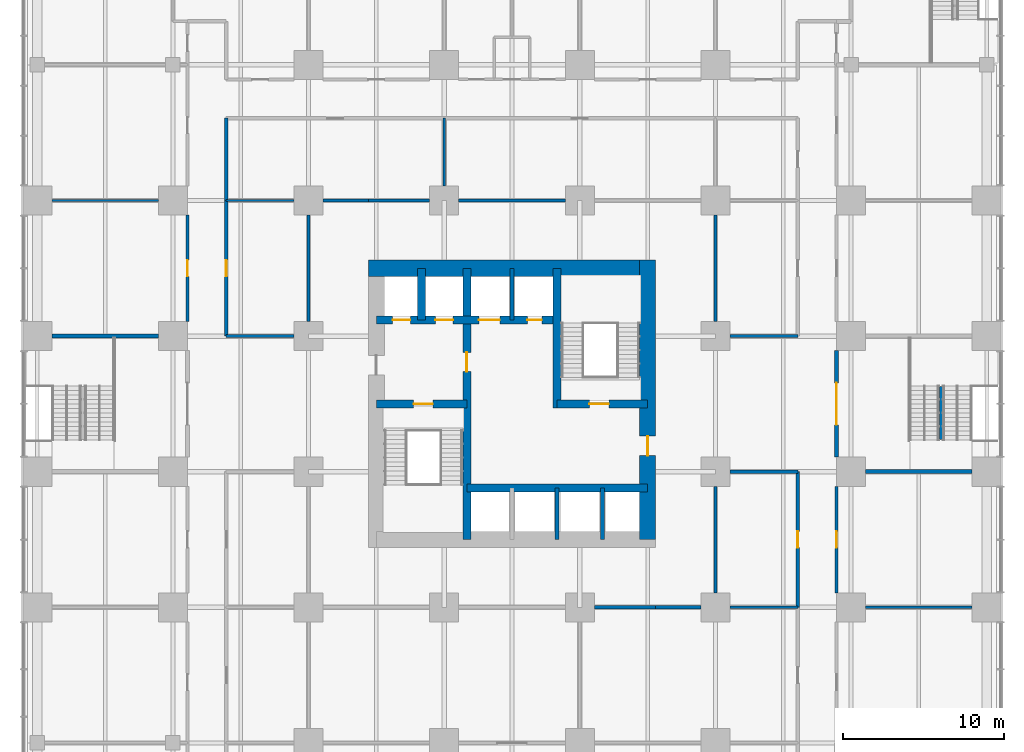
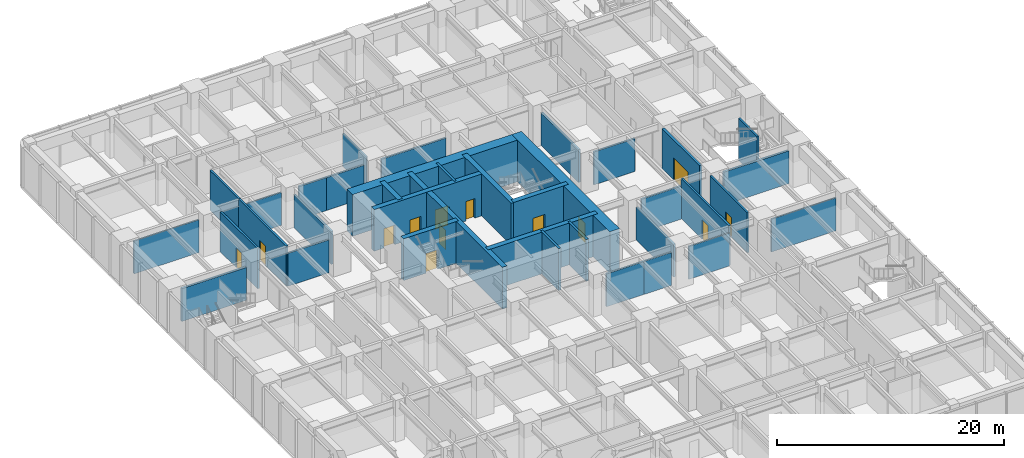
# One storey, part 13 of 19: 37 walls, 13 doors, 13 openings.
"""IFC4 building model written with IfcOpenShell, lengths in metres."""

from ifc_helpers import new_model, si_unit, direction, frame, frame_2d, origin, place, context, subcontext, project, spatial, rectangle, extrude, material, layer, layer_set, type_object, element, fill, save


model = new_model("IFC4")

# Units and contexts
model_context = context("Model", 3, precision=1e-05, world=origin(), true_north=direction((0.0, 1.0)))
body_context = subcontext(model_context, "Body", "Model", "MODEL_VIEW")
ifc_project = project(units=[si_unit("LENGTHUNIT", "METRE"), si_unit("AREAUNIT", "SQUARE_METRE"), si_unit("VOLUMEUNIT", "CUBIC_METRE"), si_unit("PLANEANGLEUNIT", "RADIAN"), si_unit("MASSUNIT", "GRAM", prefix="KILO")], contexts=[model_context])

# Site, building, storey
site_placement = place(None, origin())
site = spatial("IfcSite", under=ifc_project, at=site_placement, CompositionType="ELEMENT")
building_placement = place(site_placement, origin())
building = spatial("IfcBuilding", under=site, at=building_placement, Name="Torre Alcanfor", CompositionType="ELEMENT")
storey_placement = place(building_placement, frame((0.0, 0.0, 6.0)))
storey = spatial("IfcBuildingStorey", under=building, at=storey_placement, Name="L01", CompositionType="ELEMENT", Elevation=6.0)

# Walls
ifc_material_1 = material(Name="Concrete block masonry, hollow blocks NMX-C-404 9 MPa", Category="masonry")
ifc_layer_1 = layer(ifc_material_1, 0.14990234375)
ifc_layer_set_1 = layer_set([ifc_layer_1], Name="Classroom partition 150")
wall_type_1 = type_object("IfcWallType", Name="Classroom partition 150", PredefinedType="PARTITIONING", material=ifc_layer_set_1)
wall_1_placement = place(storey_placement, frame((51.300048828125, 16.800048828125, 0.0), z_axis=(0.0, 0.0, 1.0), x_axis=(1.0, 0.0, 0.0)))
element("IfcWall", 1, at=wall_1_placement, inside=storey, type_object=wall_type_1, Name="Partition L01-13 / L01-15", PredefinedType="PARTITIONING", context=body_context, shape_type="SweptSolid", body=[
    extrude(rectangle(XDim=6.599853515625, YDim=0.14990234375, at=frame_2d((3.2998046875, 0.0))), origin(), (0.0, 0.0, 1.0), 3.543212890625),
])
wall_2_placement = place(storey_placement, frame((0.89990234375, 42.0, 0.0), z_axis=(0.0, 0.0, 1.0), x_axis=(1.0, 0.0, 0.0)))
element("IfcWall", 2, at=wall_2_placement, inside=storey, type_object=wall_type_1, Name="Partition L01-16 / L01-18", PredefinedType="PARTITIONING", context=body_context, shape_type="SweptSolid", body=[
    extrude(rectangle(XDim=6.60009765625, YDim=0.14990234375, at=frame_2d((3.300048828125, 0.0))), origin(), (0.0, 0.0, 1.0), 3.543212890625),
])
wall_3_placement = place(storey_placement, frame((42.89990234375, 16.800048828125, 0.0), z_axis=(0.0, 0.0, 1.0), x_axis=(1.0, 0.0, 0.0)))
element("IfcWall", 3, at=wall_3_placement, inside=storey, type_object=wall_type_1, Name="Partition L01-I07 / L01-I09", PredefinedType="PARTITIONING", context=body_context, shape_type="SweptSolid", body=[
    extrude(rectangle(XDim=4.2001953125, YDim=0.14990234375, at=frame_2d((2.10009765625, 0.0))), origin(), (0.0, 0.0, 1.0), 3.543212890625),
])
wall_4_placement = place(storey_placement, frame((11.699951171875, 42.0, 0.0), z_axis=(0.0, 0.0, 1.0), x_axis=(1.0, 0.0, 0.0)))
element("IfcWall", 4, at=wall_4_placement, inside=storey, type_object=wall_type_1, Name="Partition L01-I10 / L01-I12", PredefinedType="PARTITIONING", context=body_context, shape_type="SweptSolid", body=[
    extrude(rectangle(XDim=4.199951171875, YDim=0.14990234375, at=frame_2d((2.10009765625, 0.0))), origin(), (0.0, 0.0, 1.0), 3.543212890625),
])
wall_5_placement = place(storey_placement, frame((25.199951171875, 47.10009765625, 0.0), z_axis=(0.0, 0.0, 1.0), x_axis=(0.0, -1.0, 0.0)))
element("IfcWall", 5, at=wall_5_placement, inside=storey, type_object=wall_type_1, Name="Partition L01-I12 / L01-I13", PredefinedType="PARTITIONING", context=body_context, shape_type="SweptSolid", body=[
    extrude(rectangle(XDim=4.2001953125, YDim=0.14990234375, at=frame_2d((2.10009765625, 0.0))), origin(), (0.0, 0.0, 1.0), 3.543212890625),
])

# Wall, opening, door
ifc_material_2 = material(Name="Concrete f'c 70 MPa", Category="concrete")
ifc_layer_2 = layer(ifc_material_2, 0.5)
ifc_layer_set_2 = layer_set([ifc_layer_2], Name="Core inner wall 500 f'c70")
wall_type_2 = type_object("IfcWallType", Name="Core inner wall 500 f'c70", PredefinedType="SHEAR", material=ifc_layer_set_2)
wall_6_placement = place(storey_placement, frame((26.60009765625, 21.0, 0.0), z_axis=(0.0, 0.0, 1.0), x_axis=(0.0, 1.0, 0.0)))
wall_6 = element("IfcWall", 6, at=wall_6_placement, inside=storey, type_object=wall_type_2, Name="Core wall X266 L01", PredefinedType="SHEAR", context=body_context, shape_type="SweptSolid", body=[
    extrude(rectangle(XDim=16.800048828125, YDim=0.5, at=frame_2d((8.39990234375, 0.0))), origin(), (0.0, 0.0, 1.0), 4.5),
])
opening_1_placement = place(wall_6_placement, frame((10.39990234375, 0.0, 0.0)))
opening_1 = element("IfcOpeningElement", 7, at=opening_1_placement, cuts=wall_6, Name="Opening D-L1", PredefinedType="OPENING", context=body_context, shape_type="SweptSolid", body=[
    extrude(rectangle(XDim=1.199951171875, YDim=2.10009765625, at=frame_2d((0.60009765625, 1.050048828125))), frame((0.0, 0.260009765625, 0.0), z_axis=(0.0, -1.0, 0.0), x_axis=(1.0, 0.0, 0.0)), (0.0, 0.0, 1.0), 0.52001953125),
])
ifc_material_3 = material(Name="Galvanised steel sheet ASTM A653", Category="steel")
door_type_1 = type_object("IfcDoorType", Name="Lobby door FD120 1200x2100", OperationType="SINGLE_SWING_LEFT", PredefinedType="DOOR", material=ifc_material_3)
door_1_placement = place(opening_1_placement, origin())
door_1 = element("IfcDoor", 8, at=door_1_placement, inside=storey, type_object=door_type_1, Name="Lift lobby door L01", OperationType="SINGLE_SWING_LEFT", OverallHeight=2.10009765625, OverallWidth=1.199951171875, PredefinedType="DOOR", context=body_context, shape_type="SweptSolid", body=[
    extrude(rectangle(XDim=1.199951171875, YDim=2.10009765625, at=frame_2d((0.60009765625, 1.050048828125))), frame((0.0, 0.02490234375, 0.0), z_axis=(0.0, -1.0, 0.0), x_axis=(1.0, 0.0, 0.0)), (0.0, 0.0, 1.0), 0.050048828125),
])
fill(opening_1, door_1)

wall_7_placement = place(storey_placement, frame((21.0, 29.39990234375, 0.0), z_axis=(0.0, 0.0, 1.0), x_axis=(1.0, 0.0, 0.0)))
wall_7 = element("IfcWall", 9, at=wall_7_placement, inside=storey, type_object=wall_type_2, Name="Core wall Y294W L01", PredefinedType="SHEAR", context=body_context, shape_type="SweptSolid", body=[
    extrude(rectangle(XDim=5.60009765625, YDim=0.5, at=frame_2d((2.800048828125, 0.0))), origin(), (0.0, 0.0, 1.0), 4.5),
])
opening_2_placement = place(wall_7_placement, frame((2.300048828125, 0.0, 0.0)))
opening_2 = element("IfcOpeningElement", 10, at=opening_2_placement, cuts=wall_7, Name="Opening D-S2", PredefinedType="OPENING", context=body_context, shape_type="SweptSolid", body=[
    extrude(rectangle(XDim=1.199951171875, YDim=2.10009765625, at=frame_2d((0.60009765625, 1.050048828125))), frame((0.0, 0.260009765625, 0.0), z_axis=(0.0, -1.0, 0.0), x_axis=(1.0, 0.0, 0.0)), (0.0, 0.0, 1.0), 0.52001953125),
])
ifc_material_4 = material(Name="Galvanised steel sheet ASTM A653", Category="steel")
door_type_2 = type_object("IfcDoorType", Name="Stair enclosure door FD120 1200x2100", OperationType="SINGLE_SWING_LEFT", PredefinedType="DOOR", material=ifc_material_4)
door_2_placement = place(opening_2_placement, frame((1.199951171875, 0.0, 0.0), z_axis=(0.0, 0.0, 1.0), x_axis=(-1.0, 0.0, 0.0)))
door_2 = element("IfcDoor", 11, at=door_2_placement, inside=storey, type_object=door_type_2, Name="Stair S1 door L01", OperationType="SINGLE_SWING_LEFT", OverallHeight=2.10009765625, OverallWidth=1.199951171875, PredefinedType="DOOR", context=body_context, shape_type="SweptSolid", body=[
    extrude(rectangle(XDim=1.199951171875, YDim=2.10009765625, at=frame_2d((0.599853515625, 1.050048828125))), frame((0.0, 0.025146484375, 0.0), z_axis=(0.0, -1.0, 0.0), x_axis=(1.0, 0.0, 0.0)), (0.0, 0.0, 1.0), 0.050048828125),
])
fill(opening_2, door_2)

# Wall, openings, doors
wall_8_placement = place(storey_placement, frame((21.0, 34.60009765625, 0.0), z_axis=(0.0, 0.0, 1.0), x_axis=(1.0, 0.0, 0.0)))
wall_8 = element("IfcWall", 12, at=wall_8_placement, inside=storey, type_object=wall_type_2, Name="Core wall Y346 L01", PredefinedType="SHEAR", context=body_context, shape_type="SweptSolid", body=[
    extrude(rectangle(XDim=11.199951171875, YDim=0.5, at=frame_2d((5.60009765625, 0.0))), origin(), (0.0, 0.0, 1.0), 4.5),
])
opening_3_placement = place(wall_8_placement, frame((9.35009765625, 0.0, 0.0)))
opening_3 = element("IfcOpeningElement", 13, at=opening_3_placement, cuts=wall_8, Name="Opening D-Q1", PredefinedType="OPENING", context=body_context, shape_type="SweptSolid", body=[
    extrude(rectangle(XDim=0.89990234375, YDim=2.10009765625, at=frame_2d((0.449951171875, 1.050048828125))), frame((0.0, 0.260009765625, 0.0), z_axis=(0.0, -1.0, 0.0), x_axis=(1.0, 0.0, 0.0)), (0.0, 0.0, 1.0), 0.52001953125),
])
opening_4_placement = place(wall_8_placement, frame((1.0, 0.0, 0.0)))
opening_4 = element("IfcOpeningElement", 14, at=opening_4_placement, cuts=wall_8, Name="Opening LD2", PredefinedType="OPENING", context=body_context, shape_type="SweptSolid", body=[
    extrude(rectangle(XDim=1.10009765625, YDim=2.10009765625, at=frame_2d((0.550048828125, 1.050048828125))), frame((0.0, 0.260009765625, 0.0), z_axis=(0.0, -1.0, 0.0), x_axis=(1.0, 0.0, 0.0)), (0.0, 0.0, 1.0), 0.52001953125),
])
opening_5_placement = place(wall_8_placement, frame((3.64990234375, 0.0, 0.0)))
opening_5 = element("IfcOpeningElement", 15, at=opening_5_placement, cuts=wall_8, Name="Opening LD2", PredefinedType="OPENING", context=body_context, shape_type="SweptSolid", body=[
    extrude(rectangle(XDim=1.10009765625, YDim=2.10009765625, at=frame_2d((0.550048828125, 1.050048828125))), frame((0.0, 0.260009765625, 0.0), z_axis=(0.0, -1.0, 0.0), x_axis=(1.0, 0.0, 0.0)), (0.0, 0.0, 1.0), 0.52001953125),
])
opening_6_placement = place(wall_8_placement, frame((6.35009765625, 0.0, 0.0)))
opening_6 = element("IfcOpeningElement", 16, at=opening_6_placement, cuts=wall_8, Name="Opening LD3", PredefinedType="OPENING", context=body_context, shape_type="SweptSolid", body=[
    extrude(rectangle(XDim=1.300048828125, YDim=2.10009765625, at=frame_2d((0.64990234375, 1.050048828125))), frame((0.0, 0.260009765625, 0.0), z_axis=(0.0, -1.0, 0.0), x_axis=(1.0, 0.0, 0.0)), (0.0, 0.0, 1.0), 0.52001953125),
])
ifc_material_5 = material(Name="Galvanised steel sheet ASTM A653", Category="steel")
door_type_3 = type_object("IfcDoorType", Name="Firefighting lift landing door 1100x2100", OperationType="DOUBLE_DOOR_SLIDING", PredefinedType="DOOR", material=ifc_material_5)
door_3_placement = place(opening_4_placement, origin())
door_3 = element("IfcDoor", 17, at=door_3_placement, inside=storey, type_object=door_type_3, Name="Lift landing door FL1 L01", OperationType="DOUBLE_DOOR_SLIDING", OverallHeight=2.10009765625, OverallWidth=1.10009765625, PredefinedType="DOOR", context=body_context, shape_type="SweptSolid", body=[
    extrude(rectangle(XDim=1.10009765625, YDim=2.10009765625, at=frame_2d((0.550048828125, 1.050048828125))), frame((0.0, 0.02490234375, 0.0), z_axis=(0.0, -1.0, 0.0), x_axis=(1.0, 0.0, 0.0)), (0.0, 0.0, 1.0), 0.050048828125),
])
fill(opening_4, door_3)
door_4_placement = place(opening_5_placement, origin())
door_4 = element("IfcDoor", 18, at=door_4_placement, inside=storey, type_object=door_type_3, Name="Lift landing door FL2 L01", OperationType="DOUBLE_DOOR_SLIDING", OverallHeight=2.10009765625, OverallWidth=1.10009765625, PredefinedType="DOOR", context=body_context, shape_type="SweptSolid", body=[
    extrude(rectangle(XDim=1.10009765625, YDim=2.10009765625, at=frame_2d((0.550048828125, 1.050048828125))), frame((0.0, 0.02490234375, 0.0), z_axis=(0.0, -1.0, 0.0), x_axis=(1.0, 0.0, 0.0)), (0.0, 0.0, 1.0), 0.050048828125),
])
fill(opening_5, door_4)
ifc_material_6 = material(Name="Galvanised steel sheet ASTM A653", Category="steel")
door_type_4 = type_object("IfcDoorType", Name="Riser access door FD120 900x2100", OperationType="SINGLE_SWING_LEFT", PredefinedType="DOOR", material=ifc_material_6)
door_5_placement = place(opening_3_placement, origin())
door_5 = element("IfcDoor", 19, at=door_5_placement, inside=storey, type_object=door_type_4, Name="Riser door L01", OperationType="SINGLE_SWING_LEFT", OverallHeight=2.10009765625, OverallWidth=0.89990234375, PredefinedType="DOOR", context=body_context, shape_type="SweptSolid", body=[
    extrude(rectangle(XDim=0.89990234375, YDim=2.10009765625, at=frame_2d((0.449951171875, 1.050048828125))), frame((0.0, 0.02490234375, 0.0), z_axis=(0.0, -1.0, 0.0), x_axis=(1.0, 0.0, 0.0)), (0.0, 0.0, 1.0), 0.050048828125),
])
fill(opening_3, door_5)
ifc_material_7 = material(Name="Galvanised steel sheet ASTM A653", Category="steel")
door_type_5 = type_object("IfcDoorType", Name="Service lift landing door 1300x2100", OperationType="DOUBLE_DOOR_SLIDING", PredefinedType="DOOR", material=ifc_material_7)
door_6_placement = place(opening_6_placement, origin())
door_6 = element("IfcDoor", 20, at=door_6_placement, inside=storey, type_object=door_type_5, Name="Lift landing door SL1 L01", OperationType="DOUBLE_DOOR_SLIDING", OverallHeight=2.10009765625, OverallWidth=1.300048828125, PredefinedType="DOOR", context=body_context, shape_type="SweptSolid", body=[
    extrude(rectangle(XDim=1.300048828125, YDim=2.10009765625, at=frame_2d((0.64990234375, 1.050048828125))), frame((0.0, 0.02490234375, 0.0), z_axis=(0.0, -1.0, 0.0), x_axis=(1.0, 0.0, 0.0)), (0.0, 0.0, 1.0), 0.050048828125),
])
fill(opening_6, door_6)

# Walls
wall_9_placement = place(storey_placement, frame((23.800048828125, 34.60009765625, 0.0), z_axis=(0.0, 0.0, 1.0), x_axis=(0.0, 1.0, 0.0)))
element("IfcWall", 21, at=wall_9_placement, inside=storey, type_object=wall_type_2, Name="Core wall X238 L01", PredefinedType="SHEAR", context=body_context, shape_type="SweptSolid", body=[
    extrude(rectangle(XDim=3.199951171875, YDim=0.5, at=frame_2d((1.60009765625, 0.0))), origin(), (0.0, 0.0, 1.0), 4.5),
])
wall_10_placement = place(storey_placement, frame((26.60009765625, 24.199951171875, 0.0), z_axis=(0.0, 0.0, 1.0), x_axis=(1.0, 0.0, 0.0)))
element("IfcWall", 22, at=wall_10_placement, inside=storey, type_object=wall_type_2, Name="Core wall Y242 L01", PredefinedType="SHEAR", context=body_context, shape_type="SweptSolid", body=[
    extrude(rectangle(XDim=11.199951171875, YDim=0.5, at=frame_2d((5.60009765625, 0.0))), origin(), (0.0, 0.0, 1.0), 4.5),
])
wall_11_placement = place(storey_placement, frame((32.199951171875, 29.14990234375, 0.0), z_axis=(0.0, 0.0, 1.0), x_axis=(0.0, 1.0, 0.0)))
element("IfcWall", 23, at=wall_11_placement, inside=storey, type_object=wall_type_2, Name="Core wall X322N L01", PredefinedType="SHEAR", context=body_context, shape_type="SweptSolid", body=[
    extrude(rectangle(XDim=8.650146484375, YDim=0.5, at=frame_2d((4.3251953125, 0.0))), origin(), (0.0, 0.0, 1.0), 4.5),
])

# Wall, opening, door
wall_12_placement = place(storey_placement, frame((32.199951171875, 29.39990234375, 0.0), z_axis=(0.0, 0.0, 1.0), x_axis=(1.0, 0.0, 0.0)))
wall_12 = element("IfcWall", 24, at=wall_12_placement, inside=storey, type_object=wall_type_2, Name="Core wall Y294E L01", PredefinedType="SHEAR", context=body_context, shape_type="SweptSolid", body=[
    extrude(rectangle(XDim=5.60009765625, YDim=0.5, at=frame_2d((2.800048828125, 0.0))), origin(), (0.0, 0.0, 1.0), 4.5),
])
opening_7_placement = place(wall_12_placement, frame((2.0, 0.0, 0.0)))
opening_7 = element("IfcOpeningElement", 25, at=opening_7_placement, cuts=wall_12, Name="Opening D-S2", PredefinedType="OPENING", context=body_context, shape_type="SweptSolid", body=[
    extrude(rectangle(XDim=1.199951171875, YDim=2.10009765625, at=frame_2d((0.60009765625, 1.050048828125))), frame((0.0, 0.260009765625, 0.0), z_axis=(0.0, -1.0, 0.0), x_axis=(1.0, 0.0, 0.0)), (0.0, 0.0, 1.0), 0.52001953125),
])
door_7_placement = place(opening_7_placement, origin())
door_7 = element("IfcDoor", 26, at=door_7_placement, inside=storey, type_object=door_type_2, Name="Stair S2 door L01", OperationType="SINGLE_SWING_LEFT", OverallHeight=2.10009765625, OverallWidth=1.199951171875, PredefinedType="DOOR", context=body_context, shape_type="SweptSolid", body=[
    extrude(rectangle(XDim=1.199951171875, YDim=2.10009765625, at=frame_2d((0.60009765625, 1.050048828125))), frame((0.0, 0.02490234375, 0.0), z_axis=(0.0, -1.0, 0.0), x_axis=(1.0, 0.0, 0.0)), (0.0, 0.0, 1.0), 0.050048828125),
])
fill(opening_7, door_7)

# Walls
ifc_material_8 = material(Name="Concrete f'c 70 MPa", Category="concrete")
ifc_layer_3 = layer(ifc_material_8, 0.25)
ifc_layer_set_3 = layer_set([ifc_layer_3], Name="Core shaft wall 250 f'c70")
wall_type_3 = type_object("IfcWallType", Name="Core shaft wall 250 f'c70", PredefinedType="SHEAR", material=ifc_layer_set_3)
for number, where, z_axis, x_axis, name in (
    (27, (32.199951171875, 21.0, 0.0), (0.0, 0.0, 1.0), (0.0, 1.0, 0.0), "Core wall X322S L01"),
    (28, (35.0, 21.0, 0.0), (0.0, 0.0, 1.0), (0.0, 1.0, 0.0), "Core wall X350S L01"),
    (29, (29.39990234375, 34.60009765625, 0.0), (0.0, 0.0, 1.0), (0.0, 1.0, 0.0), "Core wall X294N L01"),
):
    element("IfcWall", number, at=place(storey_placement, frame(where, z_axis=z_axis, x_axis=x_axis)), inside=storey, type_object=wall_type_3, Name=name, PredefinedType="SHEAR", context=body_context, shape_type="SweptSolid", body=[
        extrude(rectangle(XDim=3.199951171875, YDim=0.25, at=frame_2d((1.60009765625, 0.0))), origin(), (0.0, 0.0, 1.0), 4.5),
    ])

# Wall, opening, door
ifc_material_9 = material(Name="Concrete f'c 70 MPa", Category="concrete")
ifc_layer_4 = layer(ifc_material_9, 1.0)
ifc_layer_set_4 = layer_set([ifc_layer_4], Name="Core wall 1000 f'c70")
wall_type_4 = type_object("IfcWallType", Name="Core wall 1000 f'c70", PredefinedType="SHEAR", material=ifc_layer_set_4)
wall_13_placement = place(storey_placement, frame((37.800048828125, 21.0, 0.0), z_axis=(0.0, 0.0, 1.0), x_axis=(0.0, 1.0, 0.0)))
wall_13 = element("IfcWall", 30, at=wall_13_placement, inside=storey, type_object=wall_type_4, Name="Core wall OUT-E L01", PredefinedType="SHEAR", context=body_context, shape_type="SweptSolid", body=[
    extrude(rectangle(XDim=17.300048828125, YDim=1.0, at=frame_2d((8.64990234375, 0.0))), origin(), (0.0, 0.0, 1.0), 4.5),
])
opening_8_placement = place(wall_13_placement, frame((5.199951171875, 0.0, 0.0)))
opening_8 = element("IfcOpeningElement", 31, at=opening_8_placement, cuts=wall_13, Name="Opening D-L1", PredefinedType="OPENING", context=body_context, shape_type="SweptSolid", body=[
    extrude(rectangle(XDim=1.199951171875, YDim=2.10009765625, at=frame_2d((0.60009765625, 1.050048828125))), frame((0.0, 0.510009765625, 0.0), z_axis=(0.0, -1.0, 0.0), x_axis=(1.0, 0.0, 0.0)), (0.0, 0.0, 1.0), 1.02001953125),
])
door_8_placement = place(opening_8_placement, frame((1.199951171875, 0.0, 0.0), z_axis=(0.0, 0.0, 1.0), x_axis=(-1.0, 0.0, 0.0)))
door_8 = element("IfcDoor", 32, at=door_8_placement, inside=storey, type_object=door_type_1, Name="Lift lobby entrance door L01", OperationType="SINGLE_SWING_RIGHT", OverallHeight=2.10009765625, OverallWidth=1.199951171875, PredefinedType="DOOR", context=body_context, shape_type="SweptSolid", body=[
    extrude(rectangle(XDim=1.199951171875, YDim=2.10009765625, at=frame_2d((0.599853515625, 1.050048828125))), frame((0.0, 0.025146484375, 0.0), z_axis=(0.0, -1.0, 0.0), x_axis=(1.0, 0.0, 0.0)), (0.0, 0.0, 1.0), 0.050048828125),
])
fill(opening_8, door_8)

# Wall
wall_14_placement = place(storey_placement, frame((37.800048828125, 37.800048828125, 0.0), z_axis=(0.0, 0.0, 1.0), x_axis=(-1.0, 0.0, 0.0)))
element("IfcWall", 33, at=wall_14_placement, inside=storey, type_object=wall_type_4, Name="Core wall OUT-N L01", PredefinedType="SHEAR", context=body_context, shape_type="SweptSolid", body=[
    extrude(rectangle(XDim=17.300048828125, YDim=1.0, at=frame_2d((8.64990234375, 0.0))), origin(), (0.0, 0.0, 1.0), 4.5),
])

# Wall, opening, door
ifc_material_10 = material(Name="Concrete block masonry, hollow blocks NMX-C-404 9 MPa", Category="masonry")
ifc_layer_5 = layer(ifc_material_10, 0.199951171875)
ifc_layer_set_5 = layer_set([ifc_layer_5], Name="School corridor wall 200")
wall_type_5 = type_object("IfcWallType", Name="School corridor wall 200", PredefinedType="PARTITIONING", material=ifc_layer_set_5)
wall_15_placement = place(storey_placement, frame((49.5, 17.699951171875, 0.0), z_axis=(0.0, 0.0, 1.0), x_axis=(0.0, 1.0, 0.0)))
wall_15 = element("IfcWall", 34, at=wall_15_placement, inside=storey, type_object=wall_type_5, Name="Partition L01-15 / L01-CORR", PredefinedType="PARTITIONING", context=body_context, shape_type="SweptSolid", body=[
    extrude(rectangle(XDim=6.60009765625, YDim=0.199951171875, at=frame_2d((3.300048828125, 0.0))), origin(), (0.0, 0.0, 1.0), 4.300048828125),
])
opening_9_placement = place(wall_15_placement, frame((2.800048828125, 0.0, 0.0)))
opening_9 = element("IfcOpeningElement", 35, at=opening_9_placement, cuts=wall_15, Name="Opening D-C1", PredefinedType="OPENING", context=body_context, shape_type="SweptSolid", body=[
    extrude(rectangle(XDim=1.0, YDim=2.10009765625, at=frame_2d((0.5, 1.050048828125))), frame((0.0, 0.10986328125, 0.0), z_axis=(0.0, -1.0, 0.0), x_axis=(1.0, 0.0, 0.0)), (0.0, 0.0, 1.0), 0.219970703125),
])
ifc_material_11 = material(Name="Timber", Category="wood")
door_type_6 = type_object("IfcDoorType", Name="Classroom door 1000x2100", OperationType="SINGLE_SWING_RIGHT", PredefinedType="DOOR", material=ifc_material_11)
door_9_placement = place(opening_9_placement, frame((1.0, 0.0, 0.0), z_axis=(0.0, 0.0, 1.0), x_axis=(-1.0, 0.0, 0.0)))
door_9 = element("IfcDoor", 36, at=door_9_placement, inside=storey, type_object=door_type_6, Name="Door L01-15 classroom", OperationType="SINGLE_SWING_RIGHT", OverallHeight=2.10009765625, OverallWidth=1.0, PredefinedType="DOOR", context=body_context, shape_type="SweptSolid", body=[
    extrude(rectangle(XDim=1.0, YDim=2.10009765625, at=frame_2d((0.5, 1.050048828125))), frame((0.0, 0.025146484375, 0.0), z_axis=(0.0, -1.0, 0.0), x_axis=(1.0, 0.0, 0.0)), (0.0, 0.0, 1.0), 0.050048828125),
])
fill(opening_9, door_9)

wall_16_placement = place(storey_placement, frame((9.300048828125, 41.10009765625, 0.0), z_axis=(0.0, 0.0, 1.0), x_axis=(0.0, -1.0, 0.0)))
wall_16 = element("IfcWall", 37, at=wall_16_placement, inside=storey, type_object=wall_type_5, Name="Partition L01-16 / L01-CORR", PredefinedType="PARTITIONING", context=body_context, shape_type="SweptSolid", body=[
    extrude(rectangle(XDim=6.60009765625, YDim=0.199951171875, at=frame_2d((3.300048828125, 0.0))), origin(), (0.0, 0.0, 1.0), 4.300048828125),
])
opening_10_placement = place(wall_16_placement, frame((2.800048828125, 0.0, 0.0)))
opening_10 = element("IfcOpeningElement", 38, at=opening_10_placement, cuts=wall_16, Name="Opening D-C1", PredefinedType="OPENING", context=body_context, shape_type="SweptSolid", body=[
    extrude(rectangle(XDim=1.0, YDim=2.10009765625, at=frame_2d((0.5, 1.050048828125))), frame((0.0, 0.10986328125, 0.0), z_axis=(0.0, -1.0, 0.0), x_axis=(1.0, 0.0, 0.0)), (0.0, 0.0, 1.0), 0.219970703125),
])
door_10_placement = place(opening_10_placement, frame((1.0, 0.0, 0.0), z_axis=(0.0, 0.0, 1.0), x_axis=(-1.0, 0.0, 0.0)))
door_10 = element("IfcDoor", 39, at=door_10_placement, inside=storey, type_object=door_type_6, Name="Door L01-16 classroom", OperationType="SINGLE_SWING_RIGHT", OverallHeight=2.10009765625, OverallWidth=1.0, PredefinedType="DOOR", context=body_context, shape_type="SweptSolid", body=[
    extrude(rectangle(XDim=1.0, YDim=2.10009765625, at=frame_2d((0.5, 1.050048828125))), frame((0.0, 0.025146484375, 0.0), z_axis=(0.0, -1.0, 0.0), x_axis=(1.0, 0.0, 0.0)), (0.0, 0.0, 1.0), 0.050048828125),
])
fill(opening_10, door_10)

wall_17_placement = place(storey_placement, frame((47.10009765625, 16.800048828125, 0.0), z_axis=(0.0, 0.0, 1.0), x_axis=(0.0, 1.0, 0.0)))
wall_17 = element("IfcWall", 40, at=wall_17_placement, inside=storey, type_object=wall_type_5, Name="Partition L01-CORR / L01-I09", PredefinedType="PARTITIONING", context=body_context, shape_type="SweptSolid", body=[
    extrude(rectangle(XDim=8.39990234375, YDim=0.199951171875, at=frame_2d((4.199951171875, 0.0))), origin(), (0.0, 0.0, 1.0), 4.300048828125),
])
opening_11_placement = place(wall_17_placement, frame((3.699951171875, 0.0, 0.0)))
opening_11 = element("IfcOpeningElement", 41, at=opening_11_placement, cuts=wall_17, Name="Opening D-C1", PredefinedType="OPENING", context=body_context, shape_type="SweptSolid", body=[
    extrude(rectangle(XDim=1.0, YDim=2.10009765625, at=frame_2d((0.5, 1.050048828125))), frame((0.0, 0.10986328125, 0.0), z_axis=(0.0, -1.0, 0.0), x_axis=(1.0, 0.0, 0.0)), (0.0, 0.0, 1.0), 0.219970703125),
])
door_11_placement = place(opening_11_placement, origin())
door_11 = element("IfcDoor", 42, at=door_11_placement, inside=storey, type_object=door_type_6, Name="Door L01-I09 group room", OperationType="SINGLE_SWING_LEFT", OverallHeight=2.10009765625, OverallWidth=1.0, PredefinedType="DOOR", context=body_context, shape_type="SweptSolid", body=[
    extrude(rectangle(XDim=1.0, YDim=2.10009765625, at=frame_2d((0.5, 1.050048828125))), frame((0.0, 0.02490234375, 0.0), z_axis=(0.0, -1.0, 0.0), x_axis=(1.0, 0.0, 0.0)), (0.0, 0.0, 1.0), 0.050048828125),
])
fill(opening_11, door_11)

wall_18_placement = place(storey_placement, frame((11.699951171875, 42.0, 0.0), z_axis=(0.0, 0.0, 1.0), x_axis=(0.0, -1.0, 0.0)))
wall_18 = element("IfcWall", 43, at=wall_18_placement, inside=storey, type_object=wall_type_5, Name="Partition L01-CORR / L01-I10", PredefinedType="PARTITIONING", context=body_context, shape_type="SweptSolid", body=[
    extrude(rectangle(XDim=8.39990234375, YDim=0.199951171875, at=frame_2d((4.199951171875, 0.0))), origin(), (0.0, 0.0, 1.0), 4.300048828125),
])
opening_12_placement = place(wall_18_placement, frame((3.699951171875, 0.0, 0.0)))
opening_12 = element("IfcOpeningElement", 44, at=opening_12_placement, cuts=wall_18, Name="Opening D-C1", PredefinedType="OPENING", context=body_context, shape_type="SweptSolid", body=[
    extrude(rectangle(XDim=1.0, YDim=2.10009765625, at=frame_2d((0.5, 1.050048828125))), frame((0.0, 0.10986328125, 0.0), z_axis=(0.0, -1.0, 0.0), x_axis=(1.0, 0.0, 0.0)), (0.0, 0.0, 1.0), 0.219970703125),
])
door_12_placement = place(opening_12_placement, origin())
door_12 = element("IfcDoor", 45, at=door_12_placement, inside=storey, type_object=door_type_6, Name="Door L01-I10 practice room", OperationType="SINGLE_SWING_LEFT", OverallHeight=2.10009765625, OverallWidth=1.0, PredefinedType="DOOR", context=body_context, shape_type="SweptSolid", body=[
    extrude(rectangle(XDim=1.0, YDim=2.10009765625, at=frame_2d((0.5, 1.050048828125))), frame((0.0, 0.02490234375, 0.0), z_axis=(0.0, -1.0, 0.0), x_axis=(1.0, 0.0, 0.0)), (0.0, 0.0, 1.0), 0.050048828125),
])
fill(opening_12, door_12)

# Walls
wall_19_placement = place(storey_placement, frame((11.699951171875, 47.10009765625, 0.0), z_axis=(0.0, 0.0, 1.0), x_axis=(0.0, -1.0, 0.0)))
element("IfcWall", 46, at=wall_19_placement, inside=storey, type_object=wall_type_5, Name="Partition L01-CORR / L01-I12", PredefinedType="PARTITIONING", context=body_context, shape_type="SweptSolid", body=[
    extrude(rectangle(XDim=5.10009765625, YDim=0.199951171875, at=frame_2d((2.550048828125, 0.0))), origin(), (0.0, 0.0, 1.0), 4.300048828125),
])
wall_20_placement = place(storey_placement, frame((38.300048828125, 16.800048828125, 0.0), z_axis=(0.0, 0.0, 1.0), x_axis=(-1.0, 0.0, 0.0)))
element("IfcWall", 47, at=wall_20_placement, inside=storey, type_object=wall_type_5, Name="Partition L01-LLW / L01-I07", PredefinedType="PARTITIONING", context=body_context, shape_type="SweptSolid", body=[
    extrude(rectangle(XDim=3.800048828125, YDim=0.199951171875, at=frame_2d((1.89990234375, 0.0))), origin(), (0.0, 0.0, 1.0), 3.543212890625),
])
wall_21_placement = place(storey_placement, frame((11.699951171875, 33.60009765625, 0.0), z_axis=(0.0, 0.0, 1.0), x_axis=(1.0, 0.0, 0.0)))
element("IfcWall", 48, at=wall_21_placement, inside=storey, type_object=wall_type_5, Name="Partition L01-LLW / L01-I10", PredefinedType="PARTITIONING", context=body_context, shape_type="SweptSolid", body=[
    extrude(rectangle(XDim=4.199951171875, YDim=0.199951171875, at=frame_2d((2.10009765625, 0.0))), origin(), (0.0, 0.0, 1.0), 3.543212890625),
])
wall_22_placement = place(storey_placement, frame((16.800048828125, 34.5, 0.0), z_axis=(0.0, 0.0, 1.0), x_axis=(0.0, 1.0, 0.0)))
element("IfcWall", 49, at=wall_22_placement, inside=storey, type_object=wall_type_5, Name="Partition L01-LLW / L01-I10", PredefinedType="PARTITIONING", context=body_context, shape_type="SweptSolid", body=[
    extrude(rectangle(XDim=6.60009765625, YDim=0.199951171875, at=frame_2d((3.300048828125, 0.0))), origin(), (0.0, 0.0, 1.0), 3.543212890625),
])
for number, where, z_axis, x_axis, name in (
    (50, (17.699951171875, 42.0, 0.0), (0.0, 0.0, 1.0), (1.0, 0.0, 0.0), "Partition L01-LLW / L01-I12"),
    (51, (41.10009765625, 16.800048828125, 0.0), (0.0, 0.0, 1.0), (-1.0, 0.0, 0.0), "Partition L01-LLE / L01-I07"),
):
    element("IfcWall", number, at=place(storey_placement, frame(where, z_axis=z_axis, x_axis=x_axis)), inside=storey, type_object=wall_type_5, Name=name, PredefinedType="PARTITIONING", context=body_context, shape_type="SweptSolid", body=[
        extrude(rectangle(XDim=2.800048828125, YDim=0.199951171875, at=frame_2d((1.39990234375, 0.0))), origin(), (0.0, 0.0, 1.0), 3.543212890625),
    ])
wall_23_placement = place(storey_placement, frame((42.0, 24.300048828125, 0.0), z_axis=(0.0, 0.0, 1.0), x_axis=(0.0, -1.0, 0.0)))
element("IfcWall", 52, at=wall_23_placement, inside=storey, type_object=wall_type_5, Name="Partition L01-LLE / L01-I09", PredefinedType="PARTITIONING", context=body_context, shape_type="SweptSolid", body=[
    extrude(rectangle(XDim=6.60009765625, YDim=0.199951171875, at=frame_2d((3.300048828125, 0.0))), origin(), (0.0, 0.0, 1.0), 3.543212890625),
])
wall_24_placement = place(storey_placement, frame((47.10009765625, 25.199951171875, 0.0), z_axis=(0.0, 0.0, 1.0), x_axis=(-1.0, 0.0, 0.0)))
element("IfcWall", 53, at=wall_24_placement, inside=storey, type_object=wall_type_5, Name="Partition L01-LLE / L01-I09", PredefinedType="PARTITIONING", context=body_context, shape_type="SweptSolid", body=[
    extrude(rectangle(XDim=4.2001953125, YDim=0.199951171875, at=frame_2d((2.10009765625, 0.0))), origin(), (0.0, 0.0, 1.0), 3.543212890625),
])
wall_25_placement = place(storey_placement, frame((42.0, 41.10009765625, 0.0), z_axis=(0.0, 0.0, 1.0), x_axis=(0.0, -1.0, 0.0)))
element("IfcWall", 54, at=wall_25_placement, inside=storey, type_object=wall_type_5, Name="Partition L01-LLE / L01-I11", PredefinedType="PARTITIONING", context=body_context, shape_type="SweptSolid", body=[
    extrude(rectangle(XDim=6.60009765625, YDim=0.199951171875, at=frame_2d((3.300048828125, 0.0))), origin(), (0.0, 0.0, 1.0), 3.543212890625),
])
wall_26_placement = place(storey_placement, frame((42.89990234375, 33.60009765625, 0.0), z_axis=(0.0, 0.0, 1.0), x_axis=(1.0, 0.0, 0.0)))
element("IfcWall", 55, at=wall_26_placement, inside=storey, type_object=wall_type_5, Name="Partition L01-LLE / L01-I11", PredefinedType="PARTITIONING", context=body_context, shape_type="SweptSolid", body=[
    extrude(rectangle(XDim=4.2001953125, YDim=0.199951171875, at=frame_2d((2.10009765625, 0.0))), origin(), (0.0, 0.0, 1.0), 3.543212890625),
])
wall_27_placement = place(storey_placement, frame((20.5, 42.0, 0.0), z_axis=(0.0, 0.0, 1.0), x_axis=(1.0, 0.0, 0.0)))
element("IfcWall", 56, at=wall_27_placement, inside=storey, type_object=wall_type_5, Name="Partition L01-LLE / L01-I12", PredefinedType="PARTITIONING", context=body_context, shape_type="SweptSolid", body=[
    extrude(rectangle(XDim=3.800048828125, YDim=0.199951171875, at=frame_2d((1.89990234375, 0.0))), origin(), (0.0, 0.0, 1.0), 3.543212890625),
])
wall_28_placement = place(storey_placement, frame((26.10009765625, 42.0, 0.0), z_axis=(0.0, 0.0, 1.0), x_axis=(1.0, 0.0, 0.0)))
element("IfcWall", 57, at=wall_28_placement, inside=storey, type_object=wall_type_5, Name="Partition L01-LLE / L01-I13", PredefinedType="PARTITIONING", context=body_context, shape_type="SweptSolid", body=[
    extrude(rectangle(XDim=6.599853515625, YDim=0.199951171875, at=frame_2d((3.2998046875, 0.0))), origin(), (0.0, 0.0, 1.0), 3.543212890625),
])
ifc_material_12 = material(Name="Reinforced concrete block masonry, hollow blocks NMX-C-404 9 MPa", Category="masonry")
ifc_layer_6 = layer(ifc_material_12, 0.25)
ifc_layer_set_6 = layer_set([ifc_layer_6], Name="Stair enclosure wall 250 EI 120")
wall_type_6 = type_object("IfcWallType", Name="Stair enclosure wall 250 EI 120", PredefinedType="SOLIDWALL", material=ifc_layer_set_6)
wall_29_placement = place(storey_placement, frame((0.89990234375, 33.60009765625, 0.0), z_axis=(0.0, 0.0, 1.0), x_axis=(1.0, 0.0, 0.0)))
element("IfcWall", 58, at=wall_29_placement, inside=storey, type_object=wall_type_6, Name="Partition L01-SS1 / L01-16", PredefinedType="SOLIDWALL", context=body_context, shape_type="SweptSolid", body=[
    extrude(rectangle(XDim=6.60009765625, YDim=0.25, at=frame_2d((3.300048828125, 0.0))), origin(), (0.0, 0.0, 1.0), 3.543212890625),
])
wall_30_placement = place(storey_placement, frame((57.89990234375, 25.199951171875, 0.0), z_axis=(0.0, 0.0, 1.0), x_axis=(-1.0, 0.0, 0.0)))
element("IfcWall", 59, at=wall_30_placement, inside=storey, type_object=wall_type_6, Name="Partition L01-SS2 / L01-15", PredefinedType="SOLIDWALL", context=body_context, shape_type="SweptSolid", body=[
    extrude(rectangle(XDim=6.599853515625, YDim=0.25, at=frame_2d((3.2998046875, 0.0))), origin(), (0.0, 0.0, 1.0), 3.543212890625),
])

# Wall, opening, door
wall_31_placement = place(storey_placement, frame((49.5, 26.10009765625, 0.0), z_axis=(0.0, 0.0, 1.0), x_axis=(0.0, 1.0, 0.0)))
wall_31 = element("IfcWall", 60, at=wall_31_placement, inside=storey, type_object=wall_type_6, Name="Partition L01-SS2 / L01-CORR", PredefinedType="SOLIDWALL", context=body_context, shape_type="SweptSolid", body=[
    extrude(rectangle(XDim=6.599853515625, YDim=0.25, at=frame_2d((3.2998046875, 0.0))), origin(), (0.0, 0.0, 1.0), 4.300048828125),
])
opening_13_placement = place(wall_31_placement, frame((2.0, 0.0, 0.0)))
opening_13 = element("IfcOpeningElement", 61, at=opening_13_placement, cuts=wall_31, Name="Opening D-S4", PredefinedType="OPENING", context=body_context, shape_type="SweptSolid", body=[
    extrude(rectangle(XDim=2.60009765625, YDim=2.39990234375, at=frame_2d((1.300048828125, 1.199951171875))), frame((0.0, 0.135009765625, 0.0), z_axis=(0.0, -1.0, 0.0), x_axis=(1.0, 0.0, 0.0)), (0.0, 0.0, 1.0), 0.27001953125),
])
ifc_material_13 = material(Name="Galvanised steel sheet ASTM A653", Category="steel")
door_type_7 = type_object("IfcDoorType", Name="School stair double door FD120 2600x2400", OperationType="DOUBLE_DOOR_SINGLE_SWING", PredefinedType="DOOR", material=ifc_material_13)
door_13_placement = place(opening_13_placement, frame((2.60009765625, 0.0, 0.0), z_axis=(0.0, 0.0, 1.0), x_axis=(-1.0, 0.0, 0.0)))
door_13 = element("IfcDoor", 62, at=door_13_placement, inside=storey, type_object=door_type_7, Name="Door L01-SS2 school stair ss2", OperationType="DOUBLE_DOOR_SINGLE_SWING", OverallHeight=2.39990234375, OverallWidth=2.60009765625, PredefinedType="DOOR", context=body_context, shape_type="SweptSolid", body=[
    extrude(rectangle(XDim=2.60009765625, YDim=2.39990234375, at=frame_2d((1.300048828125, 1.199951171875))), frame((0.0, 0.025146484375, 0.0), z_axis=(0.0, -1.0, 0.0), x_axis=(1.0, 0.0, 0.0)), (0.0, 0.0, 1.0), 0.050048828125),
])
fill(opening_13, door_13)

# Wall
ifc_material_14 = material(Name="Concrete f'c 35 MPa", Category="concrete")
ifc_layer_7 = layer(ifc_material_14, 0.199951171875)
ifc_layer_set_7 = layer_set([ifc_layer_7], Name="Stair spine wall 200")
wall_type_7 = type_object("IfcWallType", Name="Stair spine wall 200", PredefinedType="SOLIDWALL", material=ifc_layer_set_7)
wall_32_placement = place(storey_placement, frame((55.969970703125, 27.205078125, 0.0), z_axis=(0.0, 0.0, 1.0), x_axis=(0.0, 1.0, 0.0)))
element("IfcWall", 63, at=wall_32_placement, inside=storey, type_object=wall_type_7, Name="Stair spine wall SS2 L01", PredefinedType="SOLIDWALL", context=body_context, shape_type="SweptSolid", body=[
    extrude(rectangle(XDim=3.260009765625, YDim=0.199951171875, at=frame_2d((1.6298828125, 0.0))), origin(), (0.0, 0.0, 1.0), 4.5),
])

save(model, "model.ifc")
